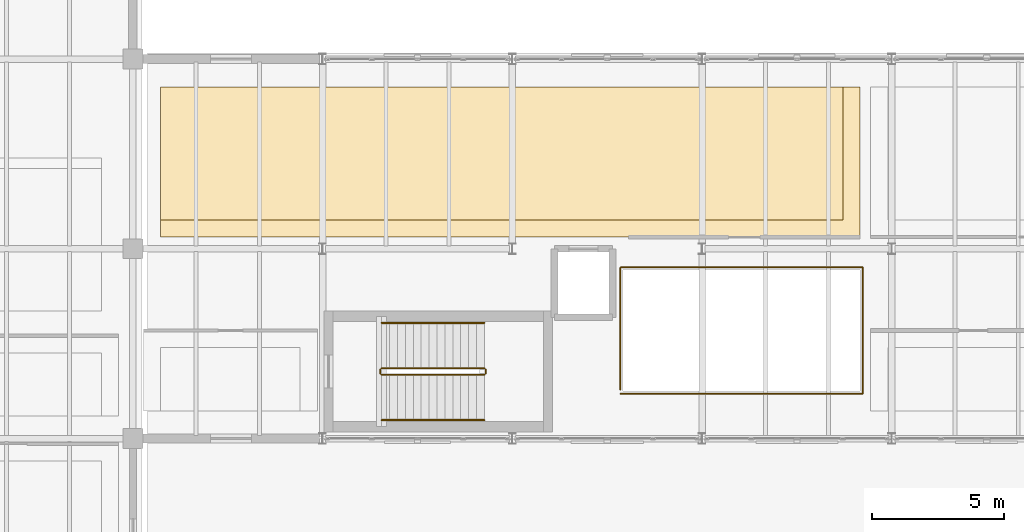
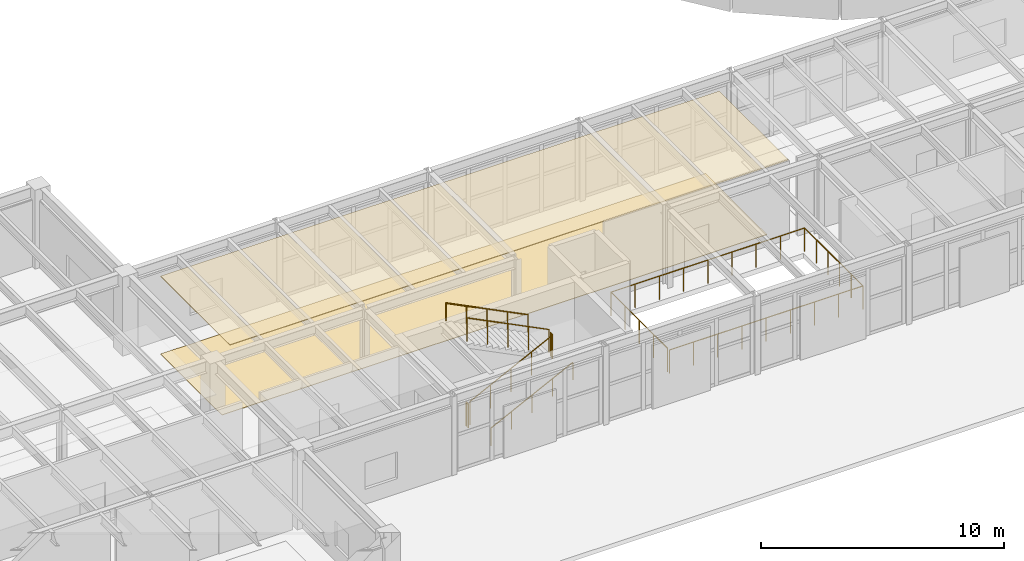
# One storey, part 35 of 37: 7 railings, 2 coverings.
"""IFC4 building model written with IfcOpenShell, lengths in metres."""

from ifc_helpers import new_model, si_unit, direction, frame, origin, origin_2d, place, context, subcontext, project, spatial, polyline, circle, outline, extrude, material, layer, layer_set, type_object, element, save


model = new_model("IFC4")

# Units and contexts
model_context = context("Model", 3, precision=1e-05, world=origin(), true_north=direction((0.0, 1.0)))
body_context = subcontext(model_context, "Body", "Model", "MODEL_VIEW")
ifc_project = project(units=[si_unit("LENGTHUNIT", "METRE"), si_unit("AREAUNIT", "SQUARE_METRE"), si_unit("VOLUMEUNIT", "CUBIC_METRE"), si_unit("PLANEANGLEUNIT", "RADIAN"), si_unit("MASSUNIT", "GRAM", prefix="KILO")], contexts=[model_context])

# Site, building, storey
site_placement = place(None, origin())
site = spatial("IfcSite", under=ifc_project, at=site_placement, CompositionType="ELEMENT")
building_placement = place(site_placement, origin())
building = spatial("IfcBuilding", under=site, at=building_placement, Name="Kandorven Conservatory and Botanical Research Centre", CompositionType="ELEMENT")
storey_placement = place(building_placement, frame((0.0, 0.0, 9.0)))
storey = spatial("IfcBuildingStorey", under=building, at=storey_placement, Name="L02", CompositionType="ELEMENT", Elevation=9.0)

# Coverings
ifc_material_1 = material(Name="Perforated mineral-fibre acoustic ceiling tile", Category="gypsum")
ifc_layer_1 = layer(ifc_material_1, 0.0400390625)
ifc_layer_set_1 = layer_set([ifc_layer_1], Name="Perforated mineral-fibre acoustic ceiling tile")
covering_type_1 = type_object("IfcCoveringType", Name="Cov_Ceiling_1", PredefinedType="CEILING", material=ifc_layer_set_1)
covering_1_placement = place(storey_placement, frame((0.0, 0.0, 3.89990234375)))
element("IfcCovering", 1, at=covering_1_placement, inside=storey, type_object=covering_type_1, Name="Suspended acoustic ceiling CLG-01 (School Field-Botany Classroom 2)", PredefinedType="CEILING", context=body_context, shape_type="SweptSolid", body=[
    extrude(outline(polyline([(43.050048828125, 20.85009765625), (69.60009765625, 20.85009765625), (69.60009765625, 26.550048828125), (43.050048828125, 26.550048828125), (43.050048828125, 20.85009765625)])), origin(), (0.0, 0.0, 1.0), 0.0400390625),
])
ifc_material_2 = material(Name="Honed Kota stone and epoxy laboratory flooring", Category="masonry")
ifc_layer_2 = layer(ifc_material_2, 0.02490234375)
ifc_layer_set_2 = layer_set([ifc_layer_2], Name="Honed Kota stone and epoxy laboratory flooring")
covering_type_2 = type_object("IfcCoveringType", Name="Cov_Flooring_1", PredefinedType="FLOORING", material=ifc_layer_set_2)
covering_2_placement = place(storey_placement, origin())
element("IfcCovering", 2, at=covering_2_placement, inside=storey, type_object=covering_type_2, Name="Floor finish FLR-01 (School Field-Botany Classroom 2)", PredefinedType="FLOORING", context=body_context, shape_type="SweptSolid", body=[
    extrude(outline(polyline([(43.050048828125, 21.5), (68.949951171875, 21.5), (68.949951171875, 26.550048828125), (43.050048828125, 26.550048828125), (43.050048828125, 21.5)])), origin(), (0.0, 0.0, 1.0), 0.02490234375),
])

# Railings
ifc_material_3 = material(Name="Steel S355 (IS 2062 E350)", Category="steel")
railing_type_1 = type_object("IfcRailingType", Name="Guard_Terrace", PredefinedType="BALUSTRADE", material=ifc_material_3)
railing_1_placement = place(storey_placement, frame((60.5, 14.89990234375, 0.0)))
element("IfcRailing", 3, at=railing_1_placement, inside=storey, type_object=railing_type_1, Name="Visitor wing atrium void guard balustrade L02", PredefinedType="BALUSTRADE", context=body_context, shape_type="SweptSolid", body=[
    extrude(circle(Radius=0.02392578125, at=origin_2d()), frame((0.0, 0.0, 1.17578125), z_axis=(1.0, 0.0, 0.0), x_axis=(0.0, 1.0, 0.0)), (0.0, 0.0, 1.0), 9.199951171875),
    extrude(circle(Radius=0.02392578125, at=origin_2d()), frame((9.199951171875, 0.0, 1.17578125), z_axis=(0.0, 1.0, 0.0), x_axis=(-1.0, 0.0, 0.0)), (0.0, 0.0, 1.0), 4.800048828125),
    extrude(circle(Radius=0.02392578125, at=origin_2d()), frame((9.199951171875, 4.800048828125, 1.17578125), z_axis=(-1.0, 0.0, 0.0), x_axis=(0.0, -1.0, 0.0)), (0.0, 0.0, 1.0), 9.199951171875),
    extrude(circle(Radius=0.02392578125, at=origin_2d()), frame((0.0, 4.800048828125, 1.17578125), z_axis=(0.0, -1.0, 0.0), x_axis=(1.0, 0.0, 0.0)), (0.0, 0.0, 1.0), 4.64990234375),
    extrude(circle(Radius=0.02099609375, at=origin_2d()), origin(), (0.0, 0.0, 1.0), 1.15185546875),
    extrude(circle(Radius=0.02099609375, at=origin_2d()), frame((1.14990234375, 0.0, 0.0)), (0.0, 0.0, 1.0), 1.15185546875),
    extrude(circle(Radius=0.02099609375, at=origin_2d()), frame((2.300048828125, 0.0, 0.0)), (0.0, 0.0, 1.0), 1.15185546875),
    extrude(circle(Radius=0.02099609375, at=origin_2d()), frame((3.449951171875, 0.0, 0.0)), (0.0, 0.0, 1.0), 1.15185546875),
    extrude(circle(Radius=0.02099609375, at=origin_2d()), frame((4.60009765625, 0.0, 0.0)), (0.0, 0.0, 1.0), 1.15185546875),
    extrude(circle(Radius=0.02099609375, at=origin_2d()), frame((5.75, 0.0, 0.0)), (0.0, 0.0, 1.0), 1.15185546875),
    extrude(circle(Radius=0.02099609375, at=origin_2d()), frame((6.89990234375, 0.0, 0.0)), (0.0, 0.0, 1.0), 1.15185546875),
    extrude(circle(Radius=0.02099609375, at=origin_2d()), frame((8.050048828125, 0.0, 0.0)), (0.0, 0.0, 1.0), 1.15185546875),
    extrude(circle(Radius=0.02099609375, at=origin_2d()), frame((9.199951171875, 0.0, 0.0)), (0.0, 0.0, 1.0), 1.15185546875),
    extrude(circle(Radius=0.02099609375, at=origin_2d()), frame((9.199951171875, 0.9599609375, 0.0)), (0.0, 0.0, 1.0), 1.15185546875),
    extrude(circle(Radius=0.02099609375, at=origin_2d()), frame((9.199951171875, 1.919921875, 0.0)), (0.0, 0.0, 1.0), 1.15185546875),
    extrude(circle(Radius=0.02099609375, at=origin_2d()), frame((9.199951171875, 2.880126953125, 0.0)), (0.0, 0.0, 1.0), 1.15185546875),
    extrude(circle(Radius=0.02099609375, at=origin_2d()), frame((9.199951171875, 3.840087890625, 0.0)), (0.0, 0.0, 1.0), 1.15185546875),
    extrude(circle(Radius=0.02099609375, at=origin_2d()), frame((9.199951171875, 4.800048828125, 0.0)), (0.0, 0.0, 1.0), 1.15185546875),
    extrude(circle(Radius=0.02099609375, at=origin_2d()), frame((8.050048828125, 4.800048828125, 0.0)), (0.0, 0.0, 1.0), 1.15185546875),
    extrude(circle(Radius=0.02099609375, at=origin_2d()), frame((6.89990234375, 4.800048828125, 0.0)), (0.0, 0.0, 1.0), 1.15185546875),
    extrude(circle(Radius=0.02099609375, at=origin_2d()), frame((5.75, 4.800048828125, 0.0)), (0.0, 0.0, 1.0), 1.15185546875),
    extrude(circle(Radius=0.02099609375, at=origin_2d()), frame((4.60009765625, 4.800048828125, 0.0)), (0.0, 0.0, 1.0), 1.15185546875),
    extrude(circle(Radius=0.02099609375, at=origin_2d()), frame((3.449951171875, 4.800048828125, 0.0)), (0.0, 0.0, 1.0), 1.15185546875),
    extrude(circle(Radius=0.02099609375, at=origin_2d()), frame((2.300048828125, 4.800048828125, 0.0)), (0.0, 0.0, 1.0), 1.15185546875),
    extrude(circle(Radius=0.02099609375, at=origin_2d()), frame((1.14990234375, 4.800048828125, 0.0)), (0.0, 0.0, 1.0), 1.15185546875),
    extrude(circle(Radius=0.02099609375, at=origin_2d()), frame((0.0, 4.800048828125, 0.0)), (0.0, 0.0, 1.0), 1.15185546875),
    extrude(circle(Radius=0.02099609375, at=origin_2d()), frame((0.0, 3.6376953125, 0.0)), (0.0, 0.0, 1.0), 1.15185546875),
    extrude(circle(Radius=0.02099609375, at=origin_2d()), frame((0.0, 2.47509765625, 0.0)), (0.0, 0.0, 1.0), 1.15185546875),
    extrude(circle(Radius=0.02099609375, at=origin_2d()), frame((0.0, 1.3125, 0.0)), (0.0, 0.0, 1.0), 1.15185546875),
    extrude(circle(Radius=0.02099609375, at=origin_2d()), frame((0.0, 0.150146484375, 0.0)), (0.0, 0.0, 1.0), 1.15185546875),
])
ifc_material_4 = material(Name="Steel S355 (IS 2062 E350)", Category="steel")
railing_type_2 = type_object("IfcRailingType", Name="StairGuard_1150", PredefinedType="BALUSTRADE", material=ifc_material_4)
railing_2_placement = place(storey_placement, frame((51.43994140625, 15.6201171875, 0.14990234375)))
element("IfcRailing", 4, at=railing_2_placement, inside=storey, type_object=railing_type_2, Name="L02 ST-V3A stair guard 1", PredefinedType="BALUSTRADE", context=body_context, shape_type="SweptSolid", body=[
    extrude(circle(Radius=0.02392578125, at=origin_2d()), frame((0.0, 0.0, 1.17578125), z_axis=(0.894415993023, 0.0, 0.447235990752), x_axis=(0.0, 1.0, 0.0)), (0.0, 0.0, 1.0), 4.360595703125),
    extrude(circle(Radius=0.02099609375, at=origin_2d()), origin(), (0.0, 0.0, 1.0), 1.15185546875),
    extrude(circle(Radius=0.02099609375, at=origin_2d()), frame((0.97509765625, 0.0, 0.487548828125)), (0.0, 0.0, 1.0), 1.15185546875),
    extrude(circle(Radius=0.02099609375, at=origin_2d()), frame((1.9501953125, 0.0, 0.97509765625)), (0.0, 0.0, 1.0), 1.15185546875),
    extrude(circle(Radius=0.02099609375, at=origin_2d()), frame((2.925048828125, 0.0, 1.462646484375)), (0.0, 0.0, 1.0), 1.15185546875),
    extrude(circle(Radius=0.02099609375, at=origin_2d()), frame((3.900146484375, 0.0, 1.9501953125)), (0.0, 0.0, 1.0), 1.15185546875),
])
railing_3_placement = place(storey_placement, frame((55.389892578125, 15.669921875, 2.10009765625)))
element("IfcRailing", 5, at=railing_3_placement, inside=storey, type_object=railing_type_2, Name="L02 ST-V3A stair guard 2", PredefinedType="BALUSTRADE", context=body_context, shape_type="SweptSolid", body=[
    extrude(circle(Radius=0.02392578125, at=origin_2d()), frame((0.0, 0.0, 1.17578125), z_axis=(0.0, 1.0, 0.0), x_axis=(-1.0, 0.0, 0.0)), (0.0, 0.0, 1.0), 0.150146484375),
    extrude(circle(Radius=0.02099609375, at=origin_2d()), origin(), (0.0, 0.0, 1.0), 1.15185546875),
    extrude(circle(Radius=0.02099609375, at=origin_2d()), frame((0.0, 0.150146484375, 0.0)), (0.0, 0.0, 1.0), 1.15185546875),
])
railing_4_placement = place(storey_placement, frame((55.340087890625, 15.8701171875, 2.25)))
element("IfcRailing", 6, at=railing_4_placement, inside=storey, type_object=railing_type_2, Name="L02 ST-V3A stair guard 3", PredefinedType="BALUSTRADE", context=body_context, shape_type="SweptSolid", body=[
    extrude(circle(Radius=0.02392578125, at=origin_2d()), frame((0.0, 0.0, 1.17578125), z_axis=(-0.894438388696, 0.0, 0.447191199406), x_axis=(0.0, -1.0, 0.0)), (0.0, 0.0, 1.0), 4.3603515625),
    extrude(circle(Radius=0.02099609375, at=origin_2d()), origin(), (0.0, 0.0, 1.0), 1.15185546875),
    extrude(circle(Radius=0.02099609375, at=origin_2d()), frame((-0.97509765625, 0.0, 0.487548828125)), (0.0, 0.0, 1.0), 1.15185546875),
    extrude(circle(Radius=0.02099609375, at=origin_2d()), frame((-1.9501953125, 0.0, 0.97509765625)), (0.0, 0.0, 1.0), 1.15185546875),
    extrude(circle(Radius=0.02099609375, at=origin_2d()), frame((-2.925048828125, 0.0, 1.46240234375)), (0.0, 0.0, 1.0), 1.15185546875),
    extrude(circle(Radius=0.02099609375, at=origin_2d()), frame((-3.900146484375, 0.0, 1.949951171875)), (0.0, 0.0, 1.0), 1.15185546875),
])
railing_5_placement = place(storey_placement, frame((51.389892578125, 15.669921875, 0.0)))
element("IfcRailing", 7, at=railing_5_placement, inside=storey, type_object=railing_type_2, Name="L02 ST-V3A stair guard 4", PredefinedType="BALUSTRADE", context=body_context, shape_type="SweptSolid", body=[
    extrude(circle(Radius=0.02392578125, at=origin_2d()), frame((0.0, 0.0, 1.17578125), z_axis=(0.0, 1.0, 0.0), x_axis=(-1.0, 0.0, 0.0)), (0.0, 0.0, 1.0), 0.150146484375),
    extrude(circle(Radius=0.02099609375, at=origin_2d()), origin(), (0.0, 0.0, 1.0), 1.15185546875),
    extrude(circle(Radius=0.02099609375, at=origin_2d()), frame((0.0, 0.150146484375, 0.0)), (0.0, 0.0, 1.0), 1.15185546875),
])
ifc_material_5 = material(Name="Steel S355 (IS 2062 E350)", Category="steel")
railing_type_3 = type_object("IfcRailingType", Name="StairHandrail_900", PredefinedType="HANDRAIL", material=ifc_material_5)
railing_6_placement = place(storey_placement, frame((51.43994140625, 13.89990234375, 0.14990234375)))
element("IfcRailing", 8, at=railing_6_placement, inside=storey, type_object=railing_type_3, Name="L02 ST-V3A stair handrail 1", PredefinedType="HANDRAIL", context=body_context, shape_type="SweptSolid", body=[
    extrude(circle(Radius=0.02392578125, at=origin_2d()), frame((0.0, 0.0, 0.8759765625), z_axis=(0.894415993023, 0.0, 0.447235990752), x_axis=(0.0, 1.0, 0.0)), (0.0, 0.0, 1.0), 4.360595703125),
    extrude(circle(Radius=0.02099609375, at=origin_2d()), origin(), (0.0, 0.0, 1.0), 0.851806640625),
    extrude(circle(Radius=0.02099609375, at=origin_2d()), frame((0.97509765625, 0.0, 0.487548828125)), (0.0, 0.0, 1.0), 0.851806640625),
    extrude(circle(Radius=0.02099609375, at=origin_2d()), frame((1.9501953125, 0.0, 0.97509765625)), (0.0, 0.0, 1.0), 0.851806640625),
    extrude(circle(Radius=0.02099609375, at=origin_2d()), frame((2.925048828125, 0.0, 1.462646484375)), (0.0, 0.0, 1.0), 0.851806640625),
    extrude(circle(Radius=0.02099609375, at=origin_2d()), frame((3.900146484375, 0.0, 1.9501953125)), (0.0, 0.0, 1.0), 0.851806640625),
])
railing_7_placement = place(storey_placement, frame((55.340087890625, 17.590087890625, 2.25)))
element("IfcRailing", 9, at=railing_7_placement, inside=storey, type_object=railing_type_3, Name="L02 ST-V3A stair handrail 2", PredefinedType="HANDRAIL", context=body_context, shape_type="SweptSolid", body=[
    extrude(circle(Radius=0.02392578125, at=origin_2d()), frame((0.0, 0.0, 0.8759765625), z_axis=(-0.894438388696, 0.0, 0.447191199406), x_axis=(0.0, -1.0, 0.0)), (0.0, 0.0, 1.0), 4.3603515625),
    extrude(circle(Radius=0.02099609375, at=origin_2d()), origin(), (0.0, 0.0, 1.0), 0.851806640625),
    extrude(circle(Radius=0.02099609375, at=origin_2d()), frame((-0.97509765625, 0.0, 0.487548828125)), (0.0, 0.0, 1.0), 0.851806640625),
    extrude(circle(Radius=0.02099609375, at=origin_2d()), frame((-1.9501953125, 0.0, 0.97509765625)), (0.0, 0.0, 1.0), 0.851806640625),
    extrude(circle(Radius=0.02099609375, at=origin_2d()), frame((-2.925048828125, 0.0, 1.46240234375)), (0.0, 0.0, 1.0), 0.851806640625),
    extrude(circle(Radius=0.02099609375, at=origin_2d()), frame((-3.900146484375, 0.0, 1.949951171875)), (0.0, 0.0, 1.0), 0.851806640625),
])

save(model, "model.ifc")
